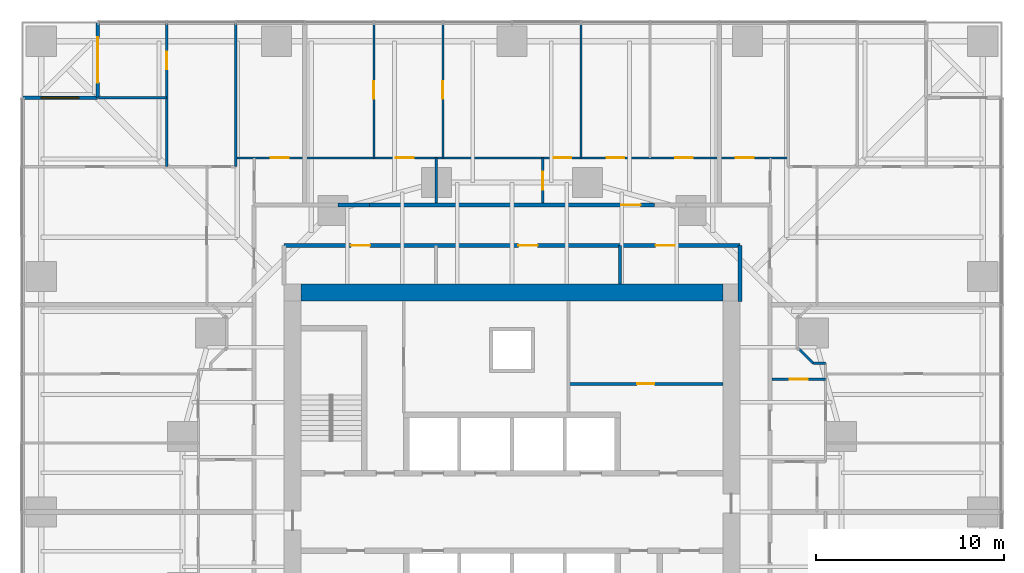
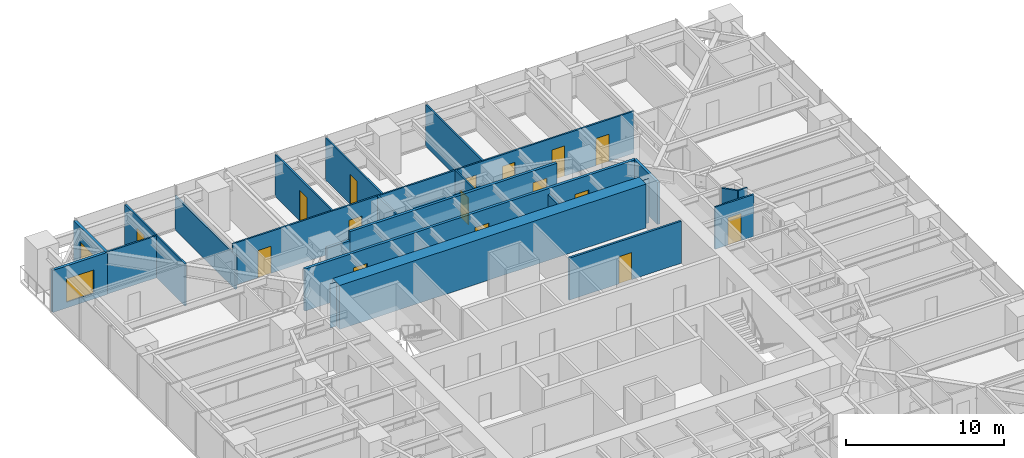
# One storey, part 15 of 18: 21 walls, 17 doors, 1 window, 18 openings.
"""IFC4 building model written with IfcOpenShell, lengths in metres."""

from ifc_helpers import new_model, si_unit, direction, frame, frame_2d, origin, place, context, subcontext, project, spatial, polyline, rectangle, outline, extrude, material, layer, layer_set, type_object, element, fill, save


model = new_model("IFC4")

# Units and contexts
model_context = context("Model", 3, precision=1e-05, world=origin(), true_north=direction((0.0, 1.0)))
body_context = subcontext(model_context, "Body", "Model", "MODEL_VIEW")
ifc_project = project(units=[si_unit("LENGTHUNIT", "METRE"), si_unit("AREAUNIT", "SQUARE_METRE"), si_unit("VOLUMEUNIT", "CUBIC_METRE"), si_unit("PLANEANGLEUNIT", "RADIAN"), si_unit("MASSUNIT", "GRAM", prefix="KILO")], contexts=[model_context])

# Site, building, storey
site_placement = place(None, origin())
site = spatial("IfcSite", under=ifc_project, at=site_placement, CompositionType="ELEMENT")
building_placement = place(site_placement, origin())
building = spatial("IfcBuilding", under=site, at=building_placement, Name="Torsade Residences", CompositionType="ELEMENT")
storey_placement = place(building_placement, frame((0.0, 0.0, 25.199951171875)))
storey = spatial("IfcBuildingStorey", under=building, at=storey_placement, Name="L06", CompositionType="ELEMENT", Elevation=25.199951171875)

# Wall
ifc_material_1 = material(Name="Concrete 80 MPa", Category="concrete")
ifc_layer_1 = layer(ifc_material_1, 0.89990234375)
ifc_layer_set_1 = layer_set([ifc_layer_1], Name="Concrete 80 MPa")
wall_type_1 = type_object("IfcWallType", Name="CORE WALL 900", PredefinedType="SHEAR", material=ifc_layer_set_1)
wall_1_placement = place(storey_placement, frame((28.800048828125, 41.64990234375, 0.0), z_axis=(0.0, 0.0, 1.0), x_axis=(1.0, 0.0, 0.0)))
element("IfcWall", 1, at=wall_1_placement, inside=storey, type_object=wall_type_1, Name="Core wall N L06", PredefinedType="SHEAR", context=body_context, shape_type="SweptSolid", body=[
    extrude(outline(polyline([(0.0, -0.449951171875), (22.39990234375, -0.449951171875), (22.39990234375, -0.02490234375), (22.849853515625, -0.02490234375), (22.849853515625, 0.02490234375), (22.39990234375, 0.02490234375), (22.39990234375, 0.449951171875), (0.0, 0.449951171875), (0.0, 0.02490234375), (-0.449951171875, 0.02490234375), (-0.449951171875, -0.02490234375), (0.0, -0.02490234375), (0.0, -0.449951171875)])), origin(), (0.0, 0.0, 1.0), 3.400146484375),
])

# Wall, opening, door
ifc_material_2 = material(Name="Plasterboard on steel stud", Category="steel")
ifc_layer_2 = layer(ifc_material_2, 0.199951171875)
ifc_layer_set_2 = layer_set([ifc_layer_2], Name="Plasterboard on steel stud")
wall_type_2 = type_object("IfcWallType", Name="CORRIDOR WALL 200", PredefinedType="PARTITIONING", material=ifc_layer_set_2)
wall_2_placement = place(storey_placement, frame((47.558349609375, 46.300048828125, 0.0), z_axis=(0.0, 0.0, 1.0), x_axis=(-1.0, 0.0, 0.0)))
wall_2 = element("IfcWall", 2, at=wall_2_placement, inside=storey, type_object=wall_type_2, Name="Corridor wall L06", PredefinedType="PARTITIONING", context=body_context, shape_type="SweptSolid", body=[
    extrude(rectangle(XDim=15.11669921875, YDim=0.199951171875, at=frame_2d((7.558349609375, 0.0))), origin(), (0.0, 0.0, 1.0), 3.25),
])
opening_1_placement = place(wall_2_placement, frame((0.72900390625, 0.0, 0.0)))
opening_1 = element("IfcOpeningElement", 3, at=opening_1_placement, cuts=wall_2, Name="Opening D01", PredefinedType="OPENING", context=body_context, shape_type="SweptSolid", body=[
    extrude(rectangle(XDim=1.02001953125, YDim=2.340087890625, at=frame_2d((0.510009765625, 1.169921875))), frame((0.0, 0.10986328125, 0.0), z_axis=(0.0, -1.0, 0.0), x_axis=(1.0, 0.0, 0.0)), (0.0, 0.0, 1.0), 0.219970703125),
])
ifc_material_3 = material(Name="Solid-core timber fire door", Category="wood")
door_type_1 = type_object("IfcDoorType", Name="APARTMENT ENTRY DOOR 1020x2340", OperationType="NOTDEFINED", PredefinedType="DOOR", material=ifc_material_3)
door_1_placement = place(opening_1_placement, origin())
door_1 = element("IfcDoor", 4, at=door_1_placement, inside=storey, type_object=door_type_1, Name="Door Residential corridor to Kitchen and dining", OperationType="SINGLE_SWING_LEFT", OverallHeight=2.340087890625, OverallWidth=1.02001953125, PredefinedType="DOOR", context=body_context, shape_type="SweptSolid", body=[
    extrude(rectangle(XDim=1.02001953125, YDim=2.340087890625, at=frame_2d((0.510009765625, 1.169921875))), frame((0.0, 0.02490234375, 0.0), z_axis=(0.0, -1.0, 0.0), x_axis=(1.0, 0.0, 0.0)), (0.0, 0.0, 1.0), 0.050048828125),
])
fill(opening_1, door_1)

# Wall
wall_3_placement = place(storey_placement, frame((32.441650390625, 46.300048828125, 0.0), z_axis=(0.0, 0.0, 1.0), x_axis=(-1.0, 0.0, 0.0)))
element("IfcWall", 5, at=wall_3_placement, inside=storey, type_object=wall_type_2, Name="Corridor wall L06", PredefinedType="PARTITIONING", context=body_context, shape_type="SweptSolid", body=[
    extrude(rectangle(XDim=1.683349609375, YDim=0.199951171875, at=frame_2d((0.841796875, 0.0))), origin(), (0.0, 0.0, 1.0), 2.550048828125),
])

# Wall, openings, doors
wall_4_placement = place(storey_placement, frame((52.10009765625, 44.14990234375, 0.0), z_axis=(0.0, 0.0, 1.0), x_axis=(-1.0, 0.0, 0.0)))
wall_4 = element("IfcWall", 6, at=wall_4_placement, inside=storey, type_object=wall_type_2, Name="Corridor wall L06", PredefinedType="PARTITIONING", context=body_context, shape_type="SweptSolid", body=[
    extrude(rectangle(XDim=24.2001953125, YDim=0.199951171875, at=frame_2d((12.10009765625, 0.0))), origin(), (0.0, 0.0, 1.0), 3.25),
])
opening_2_placement = place(wall_4_placement, frame((10.742919921875, 0.0, 0.0)))
opening_2 = element("IfcOpeningElement", 7, at=opening_2_placement, cuts=wall_4, Name="Opening D03", PredefinedType="OPENING", context=body_context, shape_type="SweptSolid", body=[
    extrude(rectangle(XDim=1.02001953125, YDim=2.10009765625, at=frame_2d((0.510009765625, 1.050048828125))), frame((0.0, 0.10986328125, 0.0), z_axis=(0.0, -1.0, 0.0), x_axis=(1.0, 0.0, 0.0)), (0.0, 0.0, 1.0), 0.219970703125),
])
opening_3_placement = place(wall_4_placement, frame((19.6357421875, 0.0, 0.0)))
opening_3 = element("IfcOpeningElement", 8, at=opening_3_placement, cuts=wall_4, Name="Opening D03", PredefinedType="OPENING", context=body_context, shape_type="SweptSolid", body=[
    extrude(rectangle(XDim=1.02001953125, YDim=2.10009765625, at=frame_2d((0.510009765625, 1.050048828125))), frame((0.0, 0.10986328125, 0.0), z_axis=(0.0, -1.0, 0.0), x_axis=(1.0, 0.0, 0.0)), (0.0, 0.0, 1.0), 0.219970703125),
])
opening_4_placement = place(wall_4_placement, frame((3.447265625, 0.0, 0.0)))
opening_4 = element("IfcOpeningElement", 9, at=opening_4_placement, cuts=wall_4, Name="Opening D03", PredefinedType="OPENING", context=body_context, shape_type="SweptSolid", body=[
    extrude(rectangle(XDim=1.02001953125, YDim=2.10009765625, at=frame_2d((0.510009765625, 1.050048828125))), frame((0.0, 0.10986328125, 0.0), z_axis=(0.0, -1.0, 0.0), x_axis=(1.0, 0.0, 0.0)), (0.0, 0.0, 1.0), 0.219970703125),
])
ifc_material_4 = material(Name="Steel-framed fire door", Category="steel")
door_type_2 = type_object("IfcDoorType", Name="FIRE DOOR 1020", OperationType="NOTDEFINED", PredefinedType="DOOR", material=ifc_material_4)
door_2_placement = place(opening_2_placement, origin())
door_2 = element("IfcDoor", 10, at=door_2_placement, inside=storey, type_object=door_type_2, Name="Door Residential corridor to Residents storage", OperationType="SINGLE_SWING_LEFT", OverallHeight=2.10009765625, OverallWidth=1.02001953125, PredefinedType="DOOR", context=body_context, shape_type="SweptSolid", body=[
    extrude(rectangle(XDim=1.02001953125, YDim=2.10009765625, at=frame_2d((0.510009765625, 1.050048828125))), frame((0.0, 0.02490234375, 0.0), z_axis=(0.0, -1.0, 0.0), x_axis=(1.0, 0.0, 0.0)), (0.0, 0.0, 1.0), 0.050048828125),
])
fill(opening_2, door_2)
door_3_placement = place(opening_3_placement, origin())
door_3 = element("IfcDoor", 11, at=door_3_placement, inside=storey, type_object=door_type_2, Name="Door Residential corridor to Bulk store", OperationType="SINGLE_SWING_RIGHT", OverallHeight=2.10009765625, OverallWidth=1.02001953125, PredefinedType="DOOR", context=body_context, shape_type="SweptSolid", body=[
    extrude(rectangle(XDim=1.02001953125, YDim=2.10009765625, at=frame_2d((0.510009765625, 1.050048828125))), frame((0.0, 0.02490234375, 0.0), z_axis=(0.0, -1.0, 0.0), x_axis=(1.0, 0.0, 0.0)), (0.0, 0.0, 1.0), 0.050048828125),
])
fill(opening_3, door_3)
door_4_placement = place(opening_4_placement, origin())
door_4 = element("IfcDoor", 12, at=door_4_placement, inside=storey, type_object=door_type_2, Name="Door Residential corridor to Parcel room", OperationType="SINGLE_SWING_RIGHT", OverallHeight=2.10009765625, OverallWidth=1.02001953125, PredefinedType="DOOR", context=body_context, shape_type="SweptSolid", body=[
    extrude(rectangle(XDim=1.02001953125, YDim=2.10009765625, at=frame_2d((0.510009765625, 1.050048828125))), frame((0.0, 0.02490234375, 0.0), z_axis=(0.0, -1.0, 0.0), x_axis=(1.0, 0.0, 0.0)), (0.0, 0.0, 1.0), 0.050048828125),
])
fill(opening_4, door_4)

# Wall
wall_5_placement = place(storey_placement, frame((52.10009765625, 41.179931640625, 0.0), z_axis=(0.0, 0.0, 1.0), x_axis=(0.0, 1.0, 0.0)))
element("IfcWall", 13, at=wall_5_placement, inside=storey, type_object=wall_type_2, Name="Corridor wall L06", PredefinedType="PARTITIONING", context=body_context, shape_type="SweptSolid", body=[
    extrude(rectangle(XDim=2.969970703125, YDim=0.199951171875, at=frame_2d((1.48486328125, 0.0))), origin(), (0.0, 0.0, 1.0), 3.25),
])

# Wall, opening, door
ifc_material_5 = material(Name="Plasterboard on steel stud", Category="steel")
ifc_layer_3 = layer(ifc_material_5, 0.1201171875)
ifc_layer_set_3 = layer_set([ifc_layer_3], Name="Plasterboard on steel stud")
wall_type_3 = type_object("IfcWallType", Name="PARTITION 120", PredefinedType="PARTITIONING", material=ifc_layer_set_3)
wall_6_placement = place(storey_placement, frame((53.800048828125, 37.046142578125, 0.0), z_axis=(0.0, 0.0, 1.0), x_axis=(1.0, 0.0, 0.0)))
wall_6 = element("IfcWall", 14, at=wall_6_placement, inside=storey, type_object=wall_type_3, Name="Partition L06", PredefinedType="PARTITIONING", context=body_context, shape_type="SweptSolid", body=[
    extrude(rectangle(XDim=2.849853515625, YDim=0.1201171875, at=frame_2d((1.4248046875, 0.0))), origin(), (0.0, 0.0, 1.0), 3.25),
])
opening_5_placement = place(wall_6_placement, frame((0.945068359375, 0.0, 0.0)))
opening_5 = element("IfcOpeningElement", 15, at=opening_5_placement, cuts=wall_6, Name="Opening D05", PredefinedType="OPENING", context=body_context, shape_type="SweptSolid", body=[
    extrude(rectangle(XDim=0.9599609375, YDim=2.10009765625, at=frame_2d((0.47998046875, 1.050048828125))), frame((0.0, 0.070068359375, 0.0), z_axis=(0.0, -1.0, 0.0), x_axis=(1.0, 0.0, 0.0)), (0.0, 0.0, 1.0), 0.14013671875),
])
ifc_material_6 = material(Name="Hollow-core timber door in a steel cavity frame", Category="steel")
door_type_3 = type_object("IfcDoorType", Name="BATHROOM CAVITY SLIDING DOOR 960", OperationType="SLIDING_TO_LEFT", PredefinedType="DOOR", material=ifc_material_6)
door_5_placement = place(opening_5_placement, origin())
door_5 = element("IfcDoor", 16, at=door_5_placement, inside=storey, type_object=door_type_3, Name="Door Kitchen and dining to Bathroom", OperationType="SLIDING_TO_LEFT", OverallHeight=2.10009765625, OverallWidth=0.9599609375, PredefinedType="DOOR", context=body_context, shape_type="SweptSolid", body=[
    extrude(rectangle(XDim=0.9599609375, YDim=2.10009765625, at=frame_2d((0.47998046875, 1.050048828125))), frame((0.0, 0.02490234375, 0.0), z_axis=(0.0, -1.0, 0.0), x_axis=(1.0, 0.0, 0.0)), (0.0, 0.0, 1.0), 0.050048828125),
])
fill(opening_5, door_5)

# Walls
wall_7_placement = place(storey_placement, frame((55.25, 38.64990234375, 0.0), z_axis=(0.0, 0.0, 1.0), x_axis=(0.707106781187, -0.707106781187, 0.0)))
element("IfcWall", 17, at=wall_7_placement, inside=storey, type_object=wall_type_3, Name="Partition L06", PredefinedType="PARTITIONING", context=body_context, shape_type="SweptSolid", body=[
    extrude(rectangle(XDim=1.060546875, YDim=0.1201171875, at=frame_2d((0.5302734375, 0.0))), origin(), (0.0, 0.0, 1.0), 3.25),
])
wall_8_placement = place(storey_placement, frame((56.0, 37.89990234375, 0.0), z_axis=(0.0, 0.0, 1.0), x_axis=(1.0, 0.0, 0.0)))
element("IfcWall", 18, at=wall_8_placement, inside=storey, type_object=wall_type_3, Name="Partition L06", PredefinedType="PARTITIONING", context=body_context, shape_type="SweptSolid", body=[
    extrude(rectangle(XDim=0.64990234375, YDim=0.1201171875, at=frame_2d((0.324951171875, 0.0))), origin(), (0.0, 0.0, 1.0), 3.25),
])

# Wall, openings, doors
wall_9_placement = place(storey_placement, frame((25.333251953125, 48.800048828125, 0.0), z_axis=(0.0, 0.0, 1.0), x_axis=(1.0, 0.0, 0.0)))
wall_9 = element("IfcWall", 19, at=wall_9_placement, inside=storey, type_object=wall_type_3, Name="Partition L06", PredefinedType="PARTITIONING", context=body_context, shape_type="SweptSolid", body=[
    extrude(rectangle(XDim=29.33349609375, YDim=0.1201171875, at=frame_2d((14.666748046875, 0.0))), origin(), (0.0, 0.0, 1.0), 3.25),
])
opening_6_placement = place(wall_9_placement, frame((19.706787109375, 0.0, 0.0)))
opening_6 = element("IfcOpeningElement", 20, at=opening_6_placement, cuts=wall_9, Name="Opening D02", PredefinedType="OPENING", context=body_context, shape_type="SweptSolid", body=[
    extrude(rectangle(XDim=0.919921875, YDim=2.340087890625, at=frame_2d((0.4599609375, 1.169921875))), frame((0.0, 0.070068359375, 0.0), z_axis=(0.0, -1.0, 0.0), x_axis=(1.0, 0.0, 0.0)), (0.0, 0.0, 1.0), 0.14013671875),
])
opening_7_placement = place(wall_9_placement, frame((23.348388671875, 0.0, 0.0)))
opening_7 = element("IfcOpeningElement", 21, at=opening_7_placement, cuts=wall_9, Name="Opening D02", PredefinedType="OPENING", context=body_context, shape_type="SweptSolid", body=[
    extrude(rectangle(XDim=0.919921875, YDim=2.340087890625, at=frame_2d((0.4599609375, 1.169921875))), frame((0.0, 0.070068359375, 0.0), z_axis=(0.0, -1.0, 0.0), x_axis=(1.0, 0.0, 0.0)), (0.0, 0.0, 1.0), 0.14013671875),
])
opening_8_placement = place(wall_9_placement, frame((16.88427734375, 0.0, 0.0)))
opening_8 = element("IfcOpeningElement", 22, at=opening_8_placement, cuts=wall_9, Name="Opening D02", PredefinedType="OPENING", context=body_context, shape_type="SweptSolid", body=[
    extrude(rectangle(XDim=0.919921875, YDim=2.340087890625, at=frame_2d((0.4599609375, 1.169921875))), frame((0.0, 0.070068359375, 0.0), z_axis=(0.0, -1.0, 0.0), x_axis=(1.0, 0.0, 0.0)), (0.0, 0.0, 1.0), 0.14013671875),
])
opening_9_placement = place(wall_9_placement, frame((26.548828125, 0.0, 0.0)))
opening_9 = element("IfcOpeningElement", 23, at=opening_9_placement, cuts=wall_9, Name="Opening D05", PredefinedType="OPENING", context=body_context, shape_type="SweptSolid", body=[
    extrude(rectangle(XDim=0.9599609375, YDim=2.10009765625, at=frame_2d((0.47998046875, 1.050048828125))), frame((0.0, 0.070068359375, 0.0), z_axis=(0.0, -1.0, 0.0), x_axis=(1.0, 0.0, 0.0)), (0.0, 0.0, 1.0), 0.14013671875),
])
opening_10_placement = place(wall_9_placement, frame((1.843994140625, 0.0, 0.0)))
opening_10 = element("IfcOpeningElement", 24, at=opening_10_placement, cuts=wall_9, Name="Opening D05", PredefinedType="OPENING", context=body_context, shape_type="SweptSolid", body=[
    extrude(rectangle(XDim=0.9599609375, YDim=2.10009765625, at=frame_2d((0.47998046875, 1.050048828125))), frame((0.0, 0.070068359375, 0.0), z_axis=(0.0, -1.0, 0.0), x_axis=(1.0, 0.0, 0.0)), (0.0, 0.0, 1.0), 0.14013671875),
])
opening_11_placement = place(wall_9_placement, frame((8.484130859375, 0.0, 0.0)))
opening_11 = element("IfcOpeningElement", 25, at=opening_11_placement, cuts=wall_9, Name="Opening D05", PredefinedType="OPENING", context=body_context, shape_type="SweptSolid", body=[
    extrude(rectangle(XDim=0.9599609375, YDim=2.10009765625, at=frame_2d((0.47998046875, 1.050048828125))), frame((0.0, 0.070068359375, 0.0), z_axis=(0.0, -1.0, 0.0), x_axis=(1.0, 0.0, 0.0)), (0.0, 0.0, 1.0), 0.14013671875),
])
door_6_placement = place(opening_9_placement, origin())
door_6 = element("IfcDoor", 26, at=door_6_placement, inside=storey, type_object=door_type_3, Name="Door Bathroom to Study", OperationType="SLIDING_TO_LEFT", OverallHeight=2.10009765625, OverallWidth=0.9599609375, PredefinedType="DOOR", context=body_context, shape_type="SweptSolid", body=[
    extrude(rectangle(XDim=0.9599609375, YDim=2.10009765625, at=frame_2d((0.47998046875, 1.050048828125))), frame((0.0, 0.02490234375, 0.0), z_axis=(0.0, -1.0, 0.0), x_axis=(1.0, 0.0, 0.0)), (0.0, 0.0, 1.0), 0.050048828125),
])
fill(opening_9, door_6)
door_7_placement = place(opening_10_placement, origin())
door_7 = element("IfcDoor", 27, at=door_7_placement, inside=storey, type_object=door_type_3, Name="Door Bathroom to Study", OperationType="SLIDING_TO_LEFT", OverallHeight=2.10009765625, OverallWidth=0.9599609375, PredefinedType="DOOR", context=body_context, shape_type="SweptSolid", body=[
    extrude(rectangle(XDim=0.9599609375, YDim=2.10009765625, at=frame_2d((0.47998046875, 1.050048828125))), frame((0.0, 0.02490234375, 0.0), z_axis=(0.0, -1.0, 0.0), x_axis=(1.0, 0.0, 0.0)), (0.0, 0.0, 1.0), 0.050048828125),
])
fill(opening_10, door_7)
door_8_placement = place(opening_11_placement, origin())
door_8 = element("IfcDoor", 28, at=door_8_placement, inside=storey, type_object=door_type_3, Name="Door Family room to Bathroom", OperationType="SLIDING_TO_LEFT", OverallHeight=2.10009765625, OverallWidth=0.9599609375, PredefinedType="DOOR", context=body_context, shape_type="SweptSolid", body=[
    extrude(rectangle(XDim=0.9599609375, YDim=2.10009765625, at=frame_2d((0.47998046875, 1.050048828125))), frame((0.0, 0.02490234375, 0.0), z_axis=(0.0, -1.0, 0.0), x_axis=(1.0, 0.0, 0.0)), (0.0, 0.0, 1.0), 0.050048828125),
])
fill(opening_11, door_8)
ifc_material_7 = material(Name="Hollow-core timber door", Category="wood")
door_type_4 = type_object("IfcDoorType", Name="INTERNAL DOOR 920x2340", OperationType="NOTDEFINED", PredefinedType="DOOR", material=ifc_material_7)
door_9_placement = place(opening_6_placement, origin())
door_9 = element("IfcDoor", 29, at=door_9_placement, inside=storey, type_object=door_type_4, Name="Door Kitchen and dining to Study", OperationType="SINGLE_SWING_RIGHT", OverallHeight=2.340087890625, OverallWidth=0.919921875, PredefinedType="DOOR", context=body_context, shape_type="SweptSolid", body=[
    extrude(rectangle(XDim=0.919921875, YDim=2.340087890625, at=frame_2d((0.4599609375, 1.169921875))), frame((0.0, 0.02490234375, 0.0), z_axis=(0.0, -1.0, 0.0), x_axis=(1.0, 0.0, 0.0)), (0.0, 0.0, 1.0), 0.050048828125),
])
fill(opening_6, door_9)
door_10_placement = place(opening_7_placement, origin())
door_10 = element("IfcDoor", 30, at=door_10_placement, inside=storey, type_object=door_type_4, Name="Door Kitchen and dining to Bedroom 1", OperationType="SINGLE_SWING_LEFT", OverallHeight=2.340087890625, OverallWidth=0.919921875, PredefinedType="DOOR", context=body_context, shape_type="SweptSolid", body=[
    extrude(rectangle(XDim=0.919921875, YDim=2.340087890625, at=frame_2d((0.4599609375, 1.169921875))), frame((0.0, 0.02490234375, 0.0), z_axis=(0.0, -1.0, 0.0), x_axis=(1.0, 0.0, 0.0)), (0.0, 0.0, 1.0), 0.050048828125),
])
fill(opening_7, door_10)
door_11_placement = place(opening_8_placement, origin())
door_11 = element("IfcDoor", 31, at=door_11_placement, inside=storey, type_object=door_type_4, Name="Door Kitchen and dining to Living room", OperationType="SINGLE_SWING_RIGHT", OverallHeight=2.340087890625, OverallWidth=0.919921875, PredefinedType="DOOR", context=body_context, shape_type="SweptSolid", body=[
    extrude(rectangle(XDim=0.919921875, YDim=2.340087890625, at=frame_2d((0.4599609375, 1.169921875))), frame((0.0, 0.02490234375, 0.0), z_axis=(0.0, -1.0, 0.0), x_axis=(1.0, 0.0, 0.0)), (0.0, 0.0, 1.0), 0.050048828125),
])
fill(opening_8, door_11)

# Wall, opening, door
wall_10_placement = place(storey_placement, frame((41.63818359375, 46.39990234375, 0.0), z_axis=(0.0, 0.0, 1.0), x_axis=(0.0, 1.0, 0.0)))
wall_10 = element("IfcWall", 32, at=wall_10_placement, inside=storey, type_object=wall_type_3, Name="Partition L06", PredefinedType="PARTITIONING", context=body_context, shape_type="SweptSolid", body=[
    extrude(rectangle(XDim=2.400146484375, YDim=0.1201171875, at=frame_2d((1.2001953125, 0.0))), origin(), (0.0, 0.0, 1.0), 3.25),
])
opening_12_placement = place(wall_10_placement, frame((0.719970703125, 0.0, 0.0)))
opening_12 = element("IfcOpeningElement", 33, at=opening_12_placement, cuts=wall_10, Name="Opening D05", PredefinedType="OPENING", context=body_context, shape_type="SweptSolid", body=[
    extrude(rectangle(XDim=0.9599609375, YDim=2.10009765625, at=frame_2d((0.47998046875, 1.050048828125))), frame((0.0, 0.070068359375, 0.0), z_axis=(0.0, -1.0, 0.0), x_axis=(1.0, 0.0, 0.0)), (0.0, 0.0, 1.0), 0.14013671875),
])
door_12_placement = place(opening_12_placement, origin())
door_12 = element("IfcDoor", 34, at=door_12_placement, inside=storey, type_object=door_type_3, Name="Door Kitchen and dining to Ensuite", OperationType="SLIDING_TO_LEFT", OverallHeight=2.10009765625, OverallWidth=0.9599609375, PredefinedType="DOOR", context=body_context, shape_type="SweptSolid", body=[
    extrude(rectangle(XDim=0.9599609375, YDim=2.10009765625, at=frame_2d((0.47998046875, 1.050048828125))), frame((0.0, 0.02490234375, 0.0), z_axis=(0.0, -1.0, 0.0), x_axis=(1.0, 0.0, 0.0)), (0.0, 0.0, 1.0), 0.050048828125),
])
fill(opening_12, door_12)

# Walls
wall_11_placement = place(storey_placement, frame((35.97802734375, 48.800048828125, 0.0), z_axis=(0.0, 0.0, 1.0), x_axis=(0.0, -1.0, 0.0)))
element("IfcWall", 35, at=wall_11_placement, inside=storey, type_object=wall_type_3, Name="Partition L06", PredefinedType="PARTITIONING", context=body_context, shape_type="SweptSolid", body=[
    extrude(rectangle(XDim=2.400146484375, YDim=0.1201171875, at=frame_2d((1.2001953125, 0.0))), origin(), (0.0, 0.0, 1.0), 3.25),
])
wall_12_placement = place(storey_placement, frame((43.666748046875, 55.9599609375, 0.0), z_axis=(0.0, 0.0, 1.0), x_axis=(0.0, -1.0, 0.0)))
element("IfcWall", 36, at=wall_12_placement, inside=storey, type_object=wall_type_3, Name="Partition L06", PredefinedType="PARTITIONING", context=body_context, shape_type="SweptSolid", body=[
    extrude(rectangle(XDim=7.159912109375, YDim=0.1201171875, at=frame_2d((3.580078125, 0.0))), origin(), (0.0, 0.0, 1.0), 3.25),
])

# Wall, opening, door
wall_13_placement = place(storey_placement, frame((36.333251953125, 48.800048828125, 0.0), z_axis=(0.0, 0.0, 1.0), x_axis=(0.0, 1.0, 0.0)))
wall_13 = element("IfcWall", 37, at=wall_13_placement, inside=storey, type_object=wall_type_3, Name="Partition L06", PredefinedType="PARTITIONING", context=body_context, shape_type="SweptSolid", body=[
    extrude(rectangle(XDim=7.159912109375, YDim=0.1201171875, at=frame_2d((3.580078125, 0.0))), origin(), (0.0, 0.0, 1.0), 3.25),
])
opening_13_placement = place(wall_13_placement, frame((3.139892578125, 0.0, 0.0)))
opening_13 = element("IfcOpeningElement", 38, at=opening_13_placement, cuts=wall_13, Name="Opening D02", PredefinedType="OPENING", context=body_context, shape_type="SweptSolid", body=[
    extrude(rectangle(XDim=0.919921875, YDim=2.340087890625, at=frame_2d((0.4599609375, 1.169921875))), frame((0.0, 0.070068359375, 0.0), z_axis=(0.0, -1.0, 0.0), x_axis=(1.0, 0.0, 0.0)), (0.0, 0.0, 1.0), 0.14013671875),
])
door_13_placement = place(opening_13_placement, origin())
door_13 = element("IfcDoor", 39, at=door_13_placement, inside=storey, type_object=door_type_4, Name="Door Living room to Family room", OperationType="SINGLE_SWING_RIGHT", OverallHeight=2.340087890625, OverallWidth=0.919921875, PredefinedType="DOOR", context=body_context, shape_type="SweptSolid", body=[
    extrude(rectangle(XDim=0.919921875, YDim=2.340087890625, at=frame_2d((0.4599609375, 1.169921875))), frame((0.0, 0.02490234375, 0.0), z_axis=(0.0, -1.0, 0.0), x_axis=(1.0, 0.0, 0.0)), (0.0, 0.0, 1.0), 0.050048828125),
])
fill(opening_13, door_13)

wall_14_placement = place(storey_placement, frame((32.666748046875, 55.9599609375, 0.0), z_axis=(0.0, 0.0, 1.0), x_axis=(0.0, -1.0, 0.0)))
wall_14 = element("IfcWall", 40, at=wall_14_placement, inside=storey, type_object=wall_type_3, Name="Partition L06", PredefinedType="PARTITIONING", context=body_context, shape_type="SweptSolid", body=[
    extrude(rectangle(XDim=7.159912109375, YDim=0.1201171875, at=frame_2d((3.580078125, 0.0))), origin(), (0.0, 0.0, 1.0), 3.25),
])
opening_14_placement = place(wall_14_placement, frame((3.10009765625, 0.0, 0.0)))
opening_14 = element("IfcOpeningElement", 41, at=opening_14_placement, cuts=wall_14, Name="Opening D02", PredefinedType="OPENING", context=body_context, shape_type="SweptSolid", body=[
    extrude(rectangle(XDim=0.919921875, YDim=2.340087890625, at=frame_2d((0.4599609375, 1.169921875))), frame((0.0, 0.070068359375, 0.0), z_axis=(0.0, -1.0, 0.0), x_axis=(1.0, 0.0, 0.0)), (0.0, 0.0, 1.0), 0.14013671875),
])
door_14_placement = place(opening_14_placement, origin())
door_14 = element("IfcDoor", 42, at=door_14_placement, inside=storey, type_object=door_type_4, Name="Door Family room to Bedroom 2", OperationType="SINGLE_SWING_RIGHT", OverallHeight=2.340087890625, OverallWidth=0.919921875, PredefinedType="DOOR", context=body_context, shape_type="SweptSolid", body=[
    extrude(rectangle(XDim=0.919921875, YDim=2.340087890625, at=frame_2d((0.4599609375, 1.169921875))), frame((0.0, 0.02490234375, 0.0), z_axis=(0.0, -1.0, 0.0), x_axis=(1.0, 0.0, 0.0)), (0.0, 0.0, 1.0), 0.050048828125),
])
fill(opening_14, door_14)

# Wall
wall_15_placement = place(storey_placement, frame((25.333251953125, 48.333251953125, 0.0), z_axis=(0.0, 0.0, 1.0), x_axis=(0.0, 1.0, 0.0)))
element("IfcWall", 43, at=wall_15_placement, inside=storey, type_object=wall_type_3, Name="Partition L06", PredefinedType="PARTITIONING", context=body_context, shape_type="SweptSolid", body=[
    extrude(rectangle(XDim=7.626708984375, YDim=0.1201171875, at=frame_2d((3.8134765625, 0.0))), origin(), (0.0, 0.0, 1.0), 2.636962890625),
])

# Wall, opening, door
wall_16_placement = place(storey_placement, frame((21.666748046875, 55.9599609375, 0.0), z_axis=(0.0, 0.0, 1.0), x_axis=(0.0, -1.0, 0.0)))
wall_16 = element("IfcWall", 44, at=wall_16_placement, inside=storey, type_object=wall_type_3, Name="Partition L06", PredefinedType="PARTITIONING", context=body_context, shape_type="SweptSolid", body=[
    extrude(rectangle(XDim=7.626708984375, YDim=0.1201171875, at=frame_2d((3.8134765625, 0.0))), origin(), (0.0, 0.0, 1.0), 3.25),
])
opening_15_placement = place(wall_16_placement, frame((1.52490234375, 0.0, 0.0)))
opening_15 = element("IfcOpeningElement", 45, at=opening_15_placement, cuts=wall_16, Name="Opening D02", PredefinedType="OPENING", context=body_context, shape_type="SweptSolid", body=[
    extrude(rectangle(XDim=0.919921875, YDim=2.340087890625, at=frame_2d((0.4599609375, 1.169921875))), frame((0.0, 0.070068359375, 0.0), z_axis=(0.0, -1.0, 0.0), x_axis=(1.0, 0.0, 0.0)), (0.0, 0.0, 1.0), 0.14013671875),
])
door_15_placement = place(opening_15_placement, origin())
door_15 = element("IfcDoor", 46, at=door_15_placement, inside=storey, type_object=door_type_4, Name="Door Bedroom 2 to Family room", OperationType="SINGLE_SWING_RIGHT", OverallHeight=2.340087890625, OverallWidth=0.919921875, PredefinedType="DOOR", context=body_context, shape_type="SweptSolid", body=[
    extrude(rectangle(XDim=0.919921875, YDim=2.340087890625, at=frame_2d((0.4599609375, 1.169921875))), frame((0.0, 0.02490234375, 0.0), z_axis=(0.0, -1.0, 0.0), x_axis=(1.0, 0.0, 0.0)), (0.0, 0.0, 1.0), 0.050048828125),
])
fill(opening_15, door_15)

# Wall
wall_17_placement = place(storey_placement, frame((18.0400390625, 52.0, 0.0), z_axis=(0.0, 0.0, 1.0), x_axis=(1.0, 0.0, 0.0)))
element("IfcWall", 47, at=wall_17_placement, inside=storey, type_object=wall_type_3, Name="Partition L06", PredefinedType="PARTITIONING", context=body_context, shape_type="SweptSolid", body=[
    extrude(rectangle(XDim=3.626708984375, YDim=0.1201171875, at=frame_2d((1.8134765625, 0.0))), origin(), (0.0, 0.0, 1.0), 3.25),
])

# Wall, opening, door
ifc_material_8 = material(Name="Reinforced blockwork", Category="masonry")
ifc_layer_4 = layer(ifc_material_8, 0.14990234375)
ifc_layer_set_4 = layer_set([ifc_layer_4], Name="Reinforced blockwork")
wall_type_4 = type_object("IfcWallType", Name="SERVICE ROOM WALL 150", PredefinedType="SOLIDWALL", material=ifc_layer_set_4)
wall_18_placement = place(storey_placement, frame((43.0, 36.800048828125, 0.0), z_axis=(0.0, 0.0, 1.0), x_axis=(1.0, 0.0, 0.0)))
wall_18 = element("IfcWall", 48, at=wall_18_placement, inside=storey, type_object=wall_type_4, Name="Service room wall L06", PredefinedType="SOLIDWALL", context=body_context, shape_type="SweptSolid", body=[
    extrude(rectangle(XDim=8.199951171875, YDim=0.14990234375, at=frame_2d((4.10009765625, 0.0))), origin(), (0.0, 0.0, 1.0), 3.25),
])
opening_16_placement = place(wall_18_placement, frame((3.639892578125, 0.0, 0.0)))
opening_16 = element("IfcOpeningElement", 49, at=opening_16_placement, cuts=wall_18, Name="Opening D06", PredefinedType="OPENING", context=body_context, shape_type="SweptSolid", body=[
    extrude(rectangle(XDim=0.919921875, YDim=2.10009765625, at=frame_2d((0.4599609375, 1.050048828125))), frame((0.0, 0.0849609375, 0.0), z_axis=(0.0, -1.0, 0.0), x_axis=(1.0, 0.0, 0.0)), (0.0, 0.0, 1.0), 0.169921875),
])
ifc_material_9 = material(Name="Steel-framed fire door", Category="steel")
door_type_5 = type_object("IfcDoorType", Name="FIRE DOOR 920", OperationType="NOTDEFINED", PredefinedType="DOOR", material=ifc_material_9)
door_16_placement = place(opening_16_placement, origin())
door_16 = element("IfcDoor", 50, at=door_16_placement, inside=storey, type_object=door_type_5, Name="Door Refuse room to Recycling room", OperationType="SINGLE_SWING_RIGHT", OverallHeight=2.10009765625, OverallWidth=0.919921875, PredefinedType="DOOR", context=body_context, shape_type="SweptSolid", body=[
    extrude(rectangle(XDim=0.919921875, YDim=2.10009765625, at=frame_2d((0.4599609375, 1.050048828125))), frame((0.0, 0.02490234375, 0.0), z_axis=(0.0, -1.0, 0.0), x_axis=(1.0, 0.0, 0.0)), (0.0, 0.0, 1.0), 0.050048828125),
])
fill(opening_16, door_16)

# Wall
wall_19_placement = place(storey_placement, frame((45.7353515625, 42.10009765625, 0.0), z_axis=(0.0, 0.0, 1.0), x_axis=(0.0, 1.0, 0.0)))
element("IfcWall", 51, at=wall_19_placement, inside=storey, type_object=wall_type_4, Name="Service room wall L06", PredefinedType="SOLIDWALL", context=body_context, shape_type="SweptSolid", body=[
    extrude(rectangle(XDim=2.0498046875, YDim=0.14990234375, at=frame_2d((1.02490234375, 0.0))), origin(), (0.0, 0.0, 1.0), 2.796142578125),
])

# Wall, opening, door
ifc_material_10 = material(Name="Stone-faced precast concrete 40 MPa panel", Category="masonry")
ifc_layer_5 = layer(ifc_material_10, 0.199951171875)
ifc_layer_set_5 = layer_set([ifc_layer_5], Name="Stone-faced precast concrete 40 MPa panel")
wall_type_5 = type_object("IfcWallType", Name="TERRACE WALL 200", PredefinedType="SOLIDWALL", material=ifc_layer_set_5)
wall_20_placement = place(storey_placement, frame((18.0, 56.0, 0.0), z_axis=(0.0, 0.0, 1.0), x_axis=(0.0, -1.0, 0.0)))
wall_20 = element("IfcWall", 52, at=wall_20_placement, inside=storey, type_object=wall_type_5, Name="Terrace wall L06 8", PredefinedType="SOLIDWALL", context=body_context, shape_type="SweptSolid", body=[
    extrude(rectangle(XDim=4.0, YDim=0.199951171875, at=frame_2d((2.0, 0.0))), origin(), (0.0, 0.0, 1.0), 3.25),
])
opening_17_placement = place(wall_20_placement, frame((0.800048828125, 0.0, 0.0)))
opening_17 = element("IfcOpeningElement", 53, at=opening_17_placement, cuts=wall_20, Name="Opening D10A", PredefinedType="OPENING", context=body_context, shape_type="SweptSolid", body=[
    extrude(rectangle(XDim=2.39990234375, YDim=2.10009765625, at=frame_2d((1.199951171875, 1.050048828125))), frame((0.0, 0.10986328125, 0.0), z_axis=(0.0, -1.0, 0.0), x_axis=(1.0, 0.0, 0.0)), (0.0, 0.0, 1.0), 0.219970703125),
])
ifc_material_11 = material(Name="Aluminium-framed glass door", Category="aluminium")
door_type_6 = type_object("IfcDoorType", Name="TERRACE SLIDING DOOR 2400x2100", OperationType="SLIDING_TO_LEFT", PredefinedType="DOOR", material=ifc_material_11)
door_17_placement = place(opening_17_placement, origin())
door_17 = element("IfcDoor", 54, at=door_17_placement, inside=storey, type_object=door_type_6, Name="Terrace door L06 8", OperationType="SLIDING_TO_LEFT", OverallHeight=2.10009765625, OverallWidth=2.39990234375, PredefinedType="DOOR", context=body_context, shape_type="SweptSolid", body=[
    extrude(rectangle(XDim=2.39990234375, YDim=2.10009765625, at=frame_2d((1.199951171875, 1.050048828125))), frame((0.0, 0.02490234375, 0.0), z_axis=(0.0, -1.0, 0.0), x_axis=(1.0, 0.0, 0.0)), (0.0, 0.0, 1.0), 0.050048828125),
])
fill(opening_17, door_17)

# Wall, opening, window
wall_21_placement = place(storey_placement, frame((18.0, 52.0, 0.0), z_axis=(0.0, 0.0, 1.0), x_axis=(-1.0, 0.0, 0.0)))
wall_21 = element("IfcWall", 55, at=wall_21_placement, inside=storey, type_object=wall_type_5, Name="Terrace wall L06 9", PredefinedType="SOLIDWALL", context=body_context, shape_type="SweptSolid", body=[
    extrude(rectangle(XDim=4.0, YDim=0.199951171875, at=frame_2d((2.0, 0.0))), origin(), (0.0, 0.0, 1.0), 3.25),
])
opening_18_placement = place(wall_21_placement, frame((1.0, 0.0, 0.449951171875)))
opening_18 = element("IfcOpeningElement", 56, at=opening_18_placement, cuts=wall_21, Name="Opening W1B", PredefinedType="OPENING", context=body_context, shape_type="SweptSolid", body=[
    extrude(rectangle(XDim=2.0, YDim=1.800048828125, at=frame_2d((1.0, 0.89990234375))), frame((0.0, 0.10986328125, 0.0), z_axis=(0.0, -1.0, 0.0), x_axis=(1.0, 0.0, 0.0)), (0.0, 0.0, 1.0), 0.219970703125),
])
ifc_material_12 = material(Name="Aluminium-framed glass window", Category="aluminium")
window_type = type_object("IfcWindowType", Name="TERRACE WINDOW 2000x1800", PartitioningType="SINGLE_PANEL", PredefinedType="WINDOW", material=ifc_material_12)
window_placement = place(opening_18_placement, origin())
window = element("IfcWindow", 57, at=window_placement, inside=storey, type_object=window_type, Name="Terrace window L06 9", OverallHeight=1.800048828125, OverallWidth=2.0, PartitioningType="SINGLE_PANEL", PredefinedType="WINDOW", context=body_context, shape_type="SweptSolid", body=[
    extrude(rectangle(XDim=2.0, YDim=1.800048828125, at=frame_2d((1.0, 0.89990234375))), frame((0.0, 0.030029296875, 0.0), z_axis=(0.0, -1.0, 0.0), x_axis=(1.0, 0.0, 0.0)), (0.0, 0.0, 1.0), 0.06005859375),
])
fill(opening_18, window)

save(model, "model.ifc")
